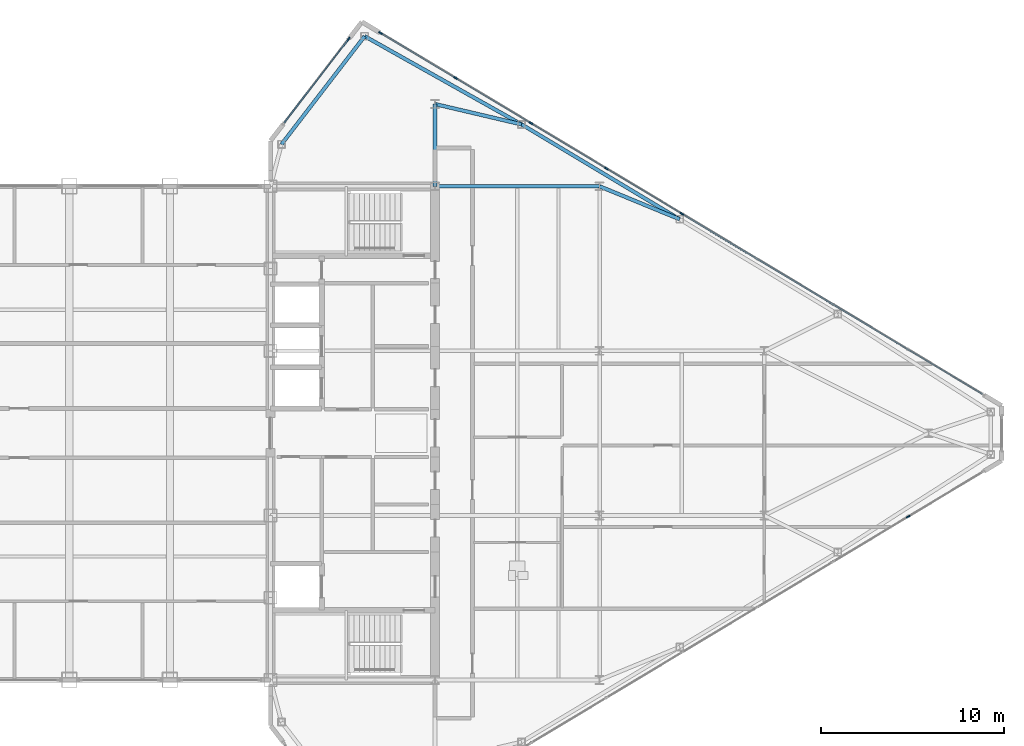
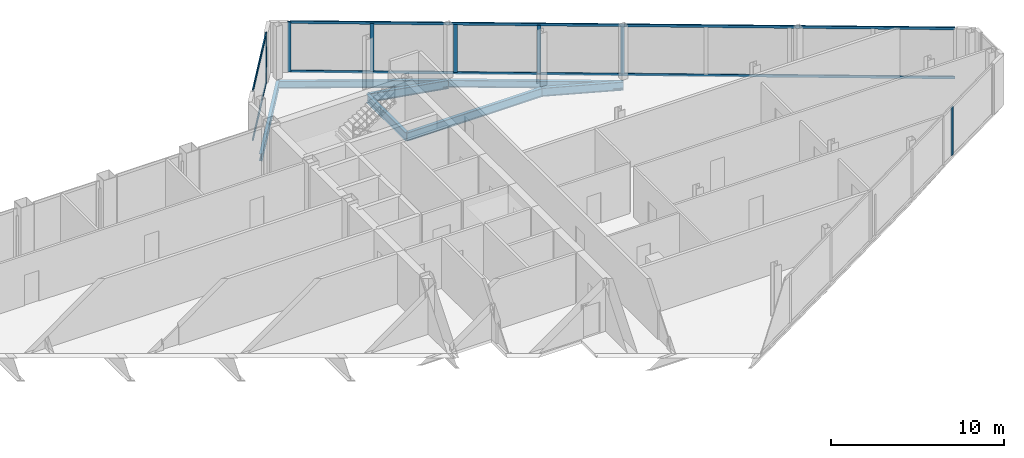
# One storey, part 17 of 29: 11 members, 7 beams, 3 elements without a shape of their own.
"""IFC4 building model written with IfcOpenShell, lengths in metres."""

from ifc_helpers import new_model, si_unit, direction, frame, origin, origin_2d, place, context, subcontext, project, spatial, rectangle, i_section, extrude, source, transform, mapped, material, layer, layer_set, material_profile, profile_set, type_object, type_shapes, element, aggregate, save


model = new_model("IFC4")

# Units and contexts
model_context = context("Model", 3, precision=1e-05, world=origin(), true_north=direction((0.0, 1.0)))
body_context = subcontext(model_context, "Body", "Model", "MODEL_VIEW")
ifc_project = project(units=[si_unit("LENGTHUNIT", "METRE"), si_unit("AREAUNIT", "SQUARE_METRE"), si_unit("VOLUMEUNIT", "CUBIC_METRE"), si_unit("PLANEANGLEUNIT", "RADIAN"), si_unit("MASSUNIT", "GRAM", prefix="KILO")], contexts=[model_context])

# Site, building, storey
site_placement = place(None, origin())
site = spatial("IfcSite", under=ifc_project, at=site_placement, CompositionType="ELEMENT")
building_placement = place(site_placement, origin())
building = spatial("IfcBuilding", under=site, at=building_placement, Name="Seokmaru Belvedere", CompositionType="ELEMENT")
storey_placement = place(building_placement, frame((0.0, 0.0, 258.14990234375)))
storey = spatial("IfcBuildingStorey", under=building, at=storey_placement, Name="L68", CompositionType="ELEMENT", Elevation=258.14990234375)

# Beams
ifc_material_1 = material(Name="Steel SM355 (355 MPa)", Category="steel")
ifc_material_profile_1 = material_profile(ifc_material_1, i_section(OverallWidth=0.199951171875, OverallDepth=0.60009765625, WebThickness=0.010986328125, FlangeThickness=0.01708984375, at=origin_2d()), Name="H-600x200x11x17")
ifc_profile_set_1 = profile_set([ifc_material_profile_1], Name="Steel SM355 (355 MPa)")
beam_type_1 = type_object("IfcBeamType", Name="Primary Floor Girder H-600", PredefinedType="BEAM", material=ifc_profile_set_1)
shared_shape_1 = source(origin(), body_context, "Body", "SweptSolid", [
    extrude(i_section(OverallWidth=0.199951171875, OverallDepth=0.60009765625, WebThickness=0.010986328125, FlangeThickness=0.01708984375, at=origin_2d()), origin(), (0.0, 0.0, 1.0), 9.0),
])
beam_1_placement = place(storey_placement, frame((36.5, 13.5, -0.52001953125), z_axis=(1.0, 0.0, 0.0), x_axis=(0.0, 1.0, 0.0)))
element("IfcBeam", 1, at=beam_1_placement, inside=storey, type_object=beam_type_1, Name="L68 E Wing Primary Girder 4", PredefinedType="BEAM", context=body_context, shape_type="MappedRepresentation", body=[
    mapped(shared_shape_1, transform((0.0, 0.0, 0.0), scale=1.0)),
])
shared_shape_2 = source(origin(), body_context, "Body", "SweptSolid", [
    extrude(i_section(OverallWidth=0.199951171875, OverallDepth=0.60009765625, WebThickness=0.010986328125, FlangeThickness=0.01708984375, at=origin_2d()), origin(), (0.0, 0.0, 1.0), 4.5),
])
beam_2_placement = place(storey_placement, frame((36.5, 13.5, -0.52001953125), z_axis=(0.0, 1.0, 0.0), x_axis=(-1.0, 0.0, 0.0)))
element("IfcBeam", 2, at=beam_2_placement, inside=storey, type_object=beam_type_1, Name="L68 E Core Shoulder Girder N", PredefinedType="BEAM", context=body_context, shape_type="MappedRepresentation", body=[
    mapped(shared_shape_2, transform((0.0, 0.0, 0.0), scale=1.0)),
])
ifc_material_profile_2 = material_profile(ifc_material_1, i_section(OverallWidth=0.199951171875, OverallDepth=0.5, WebThickness=0.010009765625, FlangeThickness=0.01611328125, at=origin_2d()), Name="H-500x200x10x16")
ifc_profile_set_2 = profile_set([ifc_material_profile_2], Name="Steel SM355 (355 MPa)")
beam_type_2 = type_object("IfcBeamType", Name="Perimeter Spandrel Beam H-500", PredefinedType="SPANDREL", material=ifc_profile_set_2)
shared_shape_3 = source(origin(), body_context, "Body", "SweptSolid", [
    extrude(i_section(OverallWidth=0.199951171875, OverallDepth=0.5, WebThickness=0.010009765625, FlangeThickness=0.01611328125, at=origin_2d()), origin(), (0.0, 0.0, 1.0), 9.842041015625),
])
beam_3_placement = place(storey_placement, frame((32.649658203125, 21.71044921875, -0.469970703125), z_axis=(0.871782151818, -0.489893743349, 0.0), x_axis=(0.489893743349, 0.871782151818, 0.0)))
element("IfcBeam", 3, at=beam_3_placement, inside=storey, type_object=beam_type_2, Name="L68 E Faceted Flank Spandrel N-1", PredefinedType="SPANDREL", context=body_context, shape_type="MappedRepresentation", body=[
    mapped(shared_shape_3, transform((0.0, 0.0, 0.0), scale=1.0)),
])
shared_shape_4 = source(origin(), body_context, "Body", "SweptSolid", [
    extrude(i_section(OverallWidth=0.199951171875, OverallDepth=0.5, WebThickness=0.010009765625, FlangeThickness=0.01611328125, at=origin_2d()), origin(), (0.0, 0.0, 1.0), 10.087646484375),
])
beam_4_placement = place(storey_placement, frame((41.229736328125, 16.888916015625, -0.469970703125), z_axis=(0.857499332045, -0.514485078056, 0.0), x_axis=(0.514485078056, 0.857499332045, 0.0)))
element("IfcBeam", 4, at=beam_4_placement, inside=storey, type_object=beam_type_2, Name="L68 E Faceted Flank Spandrel N-2", PredefinedType="SPANDREL", context=body_context, shape_type="MappedRepresentation", body=[
    mapped(shared_shape_4, transform((0.0, 0.0, 0.0), scale=1.0)),
])
shared_shape_5 = source(origin(), body_context, "Body", "SweptSolid", [
    extrude(i_section(OverallWidth=0.199951171875, OverallDepth=0.5, WebThickness=0.010009765625, FlangeThickness=0.01611328125, at=origin_2d()), origin(), (0.0, 0.0, 1.0), 7.4619140625),
])
type_shapes(beam_type_2, [shared_shape_3, shared_shape_4, shared_shape_5])
beam_5_placement = place(storey_placement, frame((32.649658203125, 21.71044921875, -0.469970703125), z_axis=(-0.609702854945, -0.792630070507, 0.0), x_axis=(0.792630070507, -0.609702854945, 0.0)))
element("IfcBeam", 5, at=beam_5_placement, inside=storey, type_object=beam_type_2, Name="L68 E Shoulder Chamfer Spandrel N", PredefinedType="SPANDREL", context=body_context, shape_type="MappedRepresentation", body=[
    mapped(shared_shape_5, transform((0.0, 0.0, 0.0), scale=1.0)),
])
shared_shape_6 = source(origin(), body_context, "Body", "SweptSolid", [
    extrude(i_section(OverallWidth=0.199951171875, OverallDepth=0.60009765625, WebThickness=0.010986328125, FlangeThickness=0.01708984375, at=origin_2d()), origin(), (0.0, 0.0, 1.0), 4.8583984375),
])
beam_6_placement = place(storey_placement, frame((41.229736328125, 16.888916015625, -0.52001953125), z_axis=(-0.97349948295, 0.228689214211, 0.0), x_axis=(-0.228689214211, -0.97349948295, 0.0)))
element("IfcBeam", 6, at=beam_6_placement, inside=storey, type_object=beam_type_1, Name="L68 E Flank Radial Floor Girder N-1", PredefinedType="BEAM", context=body_context, shape_type="MappedRepresentation", body=[
    mapped(shared_shape_6, transform((0.0, 0.0, 0.0), scale=1.0)),
])
shared_shape_7 = source(origin(), body_context, "Body", "SweptSolid", [
    extrude(i_section(OverallWidth=0.199951171875, OverallDepth=0.60009765625, WebThickness=0.010986328125, FlangeThickness=0.01708984375, at=origin_2d()), origin(), (0.0, 0.0, 1.0), 4.73583984375),
])
type_shapes(beam_type_1, [shared_shape_1, shared_shape_2, shared_shape_6, shared_shape_7])
beam_7_placement = place(storey_placement, frame((49.8798828125, 11.698974609375, -0.52001953125), z_axis=(-0.924860562953, 0.380306375301, 0.0), x_axis=(-0.380306375301, -0.924860562953, 0.0)))
element("IfcBeam", 7, at=beam_7_placement, inside=storey, type_object=beam_type_1, Name="L68 E Flank Radial Floor Girder N-2", PredefinedType="BEAM", context=body_context, shape_type="MappedRepresentation", body=[
    mapped(shared_shape_7, transform((0.0, 0.0, 0.0), scale=1.0)),
])

# Curtain wall, members
ifc_material_2 = material(Name="Bronze Triple Insulating Glass", Category="glass")
ifc_layer = layer(ifc_material_2, 0.219970703125)
ifc_layer_set = layer_set([ifc_layer], Name="Bronze Triple Insulating Glass")
curtain_wall_type = type_object("IfcCurtainWallType", Name="Sky-Gate Bridge Panorama Curtain Wall System CW-6", PredefinedType="NOTDEFINED", material=ifc_layer_set)
curtain_wall_1_placement = place(storey_placement, origin())
curtain_wall_1 = element("IfcCurtainWall", 8, at=curtain_wall_1_placement, inside=storey, type_object=curtain_wall_type, Name="L68 Curtain Wall EF4", PredefinedType="NOTDEFINED")
ifc_material_3 = material(Name="Anodised Bronze Aluminium", Category="aluminium")
ifc_material_profile_3 = material_profile(ifc_material_3, rectangle(XDim=0.074951171875, YDim=0.179931640625, at=origin_2d()), Name="CW-T-75x180")
ifc_profile_set_3 = profile_set([ifc_material_profile_3], Name="Anodised Bronze Aluminium")
member_type_1 = type_object("IfcMemberType", Name="Bronze Unitised Transom 75x180", PredefinedType="USERDEFINED", material=ifc_profile_set_3)
shared_shape_8 = source(origin(), body_context, "Body", "SweptSolid", [
    extrude(rectangle(XDim=0.074951171875, YDim=0.179931640625, at=origin_2d()), origin(), (0.0, 0.0, 1.0), 5.74072265625),
])
member_1_placement = place(storey_placement, frame((31.75, 21.525146484375, 0.03759765625), z_axis=(-0.609686097287, -0.792642960465, 0.0), x_axis=(0.792642960465, -0.609686097287, 0.0)))
member_1 = element("IfcMember", 9, at=member_1_placement, type_object=member_type_1, Name="CW:L68:EF4 Continuous Transom 1", ObjectType="TRANSOM", PredefinedType="USERDEFINED", context=body_context, shape_type="MappedRepresentation", body=[
    mapped(shared_shape_8, transform((0.0, 0.0, 0.0), scale=1.0)),
])
member_2_placement = place(storey_placement, frame((31.75, 21.525146484375, 3.49267578125), z_axis=(-0.609686097287, -0.792642960465, 0.0), x_axis=(0.792642960465, -0.609686097287, 0.0)))
member_2 = element("IfcMember", 10, at=member_2_placement, type_object=member_type_1, Name="CW:L68:EF4 Continuous Transom 2", ObjectType="TRANSOM", PredefinedType="USERDEFINED", context=body_context, shape_type="MappedRepresentation", body=[
    mapped(shared_shape_8, transform((0.0, 0.0, 0.0), scale=1.0)),
])

curtain_wall_2_placement = place(storey_placement, origin())
curtain_wall_2 = element("IfcCurtainWall", 11, at=curtain_wall_2_placement, inside=storey, type_object=curtain_wall_type, Name="L68 Curtain Wall EF3", PredefinedType="NOTDEFINED")
shared_shape_9 = source(origin(), body_context, "Body", "SweptSolid", [
    extrude(rectangle(XDim=0.074951171875, YDim=0.179931640625, at=origin_2d()), origin(), (0.0, 0.0, 1.0), 38.356689453125),
])
type_shapes(member_type_1, [shared_shape_8, shared_shape_9])
member_3_placement = place(storey_placement, frame((66.4453125, 2.1328125, 0.03759765625), z_axis=(-0.857492925713, 0.514495755428, 0.0), x_axis=(-0.514495755428, -0.857492925713, 0.0)))
member_3 = element("IfcMember", 12, at=member_3_placement, type_object=member_type_1, Name="CW:L68:EF3 Continuous Transom 1", ObjectType="TRANSOM", PredefinedType="USERDEFINED", context=body_context, shape_type="MappedRepresentation", body=[
    mapped(shared_shape_9, transform((0.0, 0.0, 0.0), scale=1.0)),
])
member_4_placement = place(storey_placement, frame((66.4453125, 2.1328125, 3.49267578125), z_axis=(-0.857492925713, 0.514495755428, 0.0), x_axis=(-0.514495755428, -0.857492925713, 0.0)))
member_4 = element("IfcMember", 13, at=member_4_placement, type_object=member_type_1, Name="CW:L68:EF3 Continuous Transom 2", ObjectType="TRANSOM", PredefinedType="USERDEFINED", context=body_context, shape_type="MappedRepresentation", body=[
    mapped(shared_shape_9, transform((0.0, 0.0, 0.0), scale=1.0)),
])
ifc_material_profile_4 = material_profile(ifc_material_3, rectangle(XDim=0.080078125, YDim=0.219970703125, at=origin_2d()), Name="CW-M-80x220")
ifc_profile_set_4 = profile_set([ifc_material_profile_4], Name="Anodised Bronze Aluminium")
member_type_2 = type_object("IfcMemberType", Name="Bronze Unitised Mullion 80x220", PredefinedType="MULLION", material=ifc_profile_set_4)
shared_shape_10 = source(origin(), body_context, "Body", "SweptSolid", [
    extrude(rectangle(XDim=0.080078125, YDim=0.219970703125, at=origin_2d()), origin(), (0.0, 0.0, 1.0), 3.530029296875),
])
member_5_placement = place(storey_placement, frame((33.5205078125, 21.8876953125, 0.0), z_axis=(0.0, 0.0, 1.0), x_axis=(-0.514494909364, -0.85749343335, 0.0)))
member_5 = element("IfcMember", 14, at=member_5_placement, type_object=member_type_2, Name="CW:L68:EF3 Mullion 9", PredefinedType="MULLION", context=body_context, shape_type="MappedRepresentation", body=[
    mapped(shared_shape_10, transform((0.0, 0.0, 0.0), scale=1.0)),
])

# Member
member_6_placement = place(storey_placement, frame((31.7744140625, 21.556884765625, 0.0), z_axis=(0.0, 0.0, 1.0), x_axis=(0.792631353244, -0.609701187349, 0.0)))
member_6 = element("IfcMember", 15, at=member_6_placement, type_object=member_type_2, Name="CW:L68:EF4 Mullion 1", PredefinedType="MULLION", context=body_context, shape_type="MappedRepresentation", body=[
    mapped(shared_shape_10, transform((0.0, 0.0, 0.0), scale=1.0)),
])

aggregate(curtain_wall_1, [member_6, member_1, member_2])

# Curtain wall, member
curtain_wall_3_placement = place(storey_placement, origin())
curtain_wall_3 = element("IfcCurtainWall", 16, at=curtain_wall_3_placement, inside=storey, type_object=curtain_wall_type, Name="L68 Curtain Wall EF1", PredefinedType="NOTDEFINED")
shared_shape_11 = source(origin(), body_context, "Body", "SweptSolid", [
    extrude(rectangle(XDim=0.080078125, YDim=0.219970703125, at=origin_2d()), origin(), (0.0, 0.0, 1.0), 3.3798828125),
])
type_shapes(member_type_2, [shared_shape_10, shared_shape_11])
member_7_placement = place(storey_placement, frame((62.385498046875, -4.56884765625, 0.0751953125), z_axis=(0.0, 0.0, 1.0), x_axis=(-0.514494909364, 0.85749343335, 0.0)))
member_7 = element("IfcMember", 17, at=member_7_placement, type_object=member_type_2, Name="CW:L68:EF1 Mullion 8", PredefinedType="MULLION", context=body_context, shape_type="MappedRepresentation", body=[
    mapped(shared_shape_11, transform((0.0, 0.0, 0.0), scale=1.0)),
])
aggregate(curtain_wall_3, [member_7])

# Member
member_8_placement = place(storey_placement, frame((50.0, 12.0, 0.0751953125), z_axis=(0.0, 0.0, 1.0), x_axis=(-0.514494909364, -0.85749343335, 0.0)))
member_8 = element("IfcMember", 18, at=member_8_placement, type_object=member_type_2, Name="CW:L68:EF3 Mullion 5", PredefinedType="MULLION", context=body_context, shape_type="MappedRepresentation", body=[
    mapped(shared_shape_11, transform((0.0, 0.0, 0.0), scale=1.0)),
])

member_9_placement = place(storey_placement, frame((45.87158203125, 14.47705078125, 0.0751953125), z_axis=(0.0, 0.0, 1.0), x_axis=(-0.514494909364, -0.85749343335, 0.0)))
member_9 = element("IfcMember", 19, at=member_9_placement, type_object=member_type_2, Name="CW:L68:EF3 Mullion 6", PredefinedType="MULLION", context=body_context, shape_type="MappedRepresentation", body=[
    mapped(shared_shape_11, transform((0.0, 0.0, 0.0), scale=1.0)),
])

member_10_placement = place(storey_placement, frame((41.742919921875, 16.9541015625, 0.0751953125), z_axis=(0.0, 0.0, 1.0), x_axis=(-0.514494909364, -0.85749343335, 0.0)))
member_10 = element("IfcMember", 20, at=member_10_placement, type_object=member_type_2, Name="CW:L68:EF3 Mullion 7", PredefinedType="MULLION", context=body_context, shape_type="MappedRepresentation", body=[
    mapped(shared_shape_11, transform((0.0, 0.0, 0.0), scale=1.0)),
])

member_11_placement = place(storey_placement, frame((37.614501953125, 19.43115234375, 0.0751953125), z_axis=(0.0, 0.0, 1.0), x_axis=(-0.514494909364, -0.85749343335, 0.0)))
member_11 = element("IfcMember", 21, at=member_11_placement, type_object=member_type_2, Name="CW:L68:EF3 Mullion 8", PredefinedType="MULLION", context=body_context, shape_type="MappedRepresentation", body=[
    mapped(shared_shape_11, transform((0.0, 0.0, 0.0), scale=1.0)),
])

aggregate(curtain_wall_2, [member_8, member_9, member_10, member_11, member_5, member_3, member_4])

save(model, "model.ifc")
